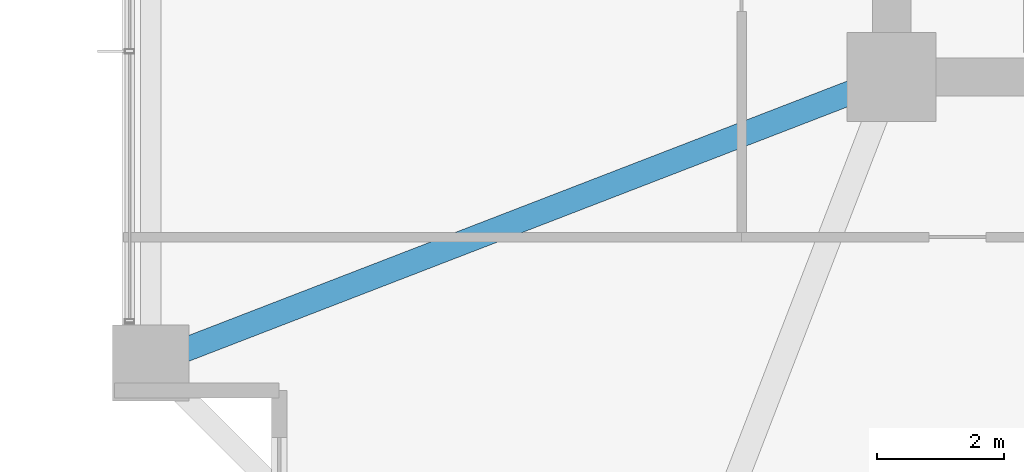
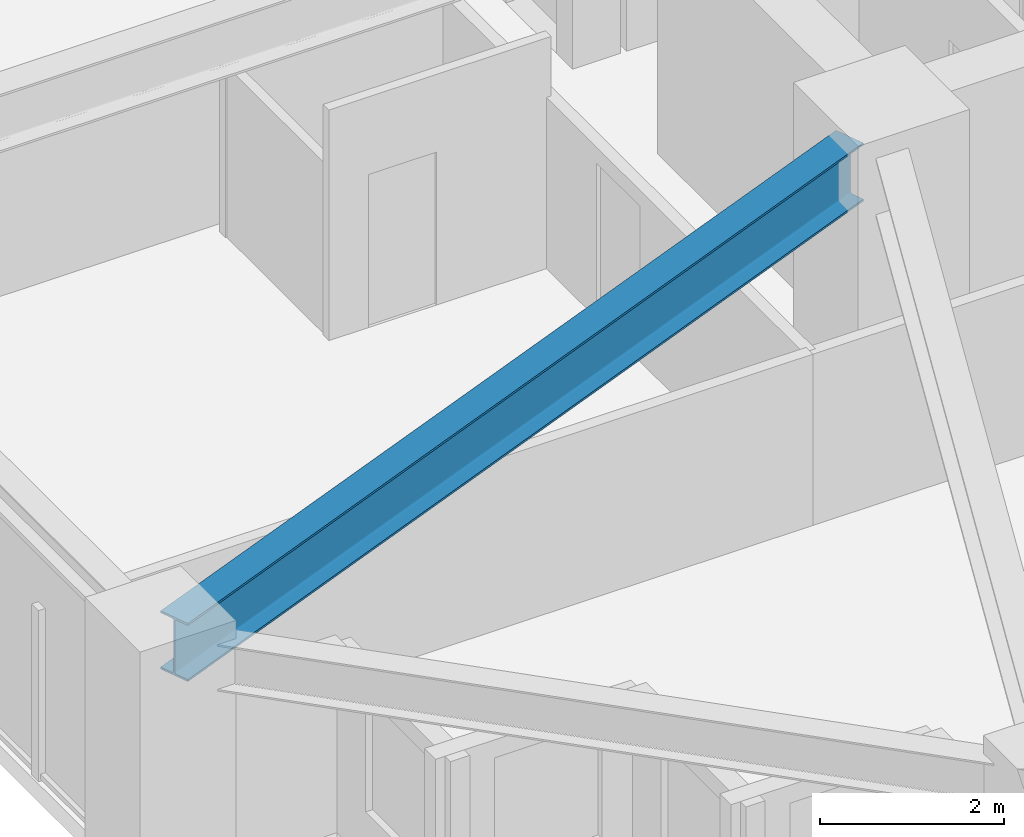
# One storey, part 4 of 38: 1 beam.
"""IFC4 building model written with IfcOpenShell, lengths in metres."""

import ifcopenshell
import ifcopenshell.guid

model = None  # the IFC model being written
_history = None  # IfcOwnerHistory: only IFC2X3 demands one
_inside = {}  # id of a spatial element -> (the spatial element, [elements in it])
_under = {}  # id of a project, library or spatial element -> (it, [spatial elements below it])
_declared = {}  # id of a project -> (the project, [libraries it declares])
_typed = {}  # id of a type object -> (the type object, [elements of that type])
_made_of = {}  # id of a material, layer set ... -> (it, [elements and type objects made of it])


def new_model(schema):
    """Start an empty IFC model of exactly this schema.

    Asked for "IFC4X3", IfcOpenShell would pick the latest addendum, in which some entities
    have other attributes; the version numbers below select the first issue.
    IFC2X3 requires an IfcOwnerHistory on every rooted entity: one is made here for all.
    """
    global model, _history
    if schema == "IFC4X3":
        model = ifcopenshell.file(schema_version=(4, 3, 0, 0))
    else:
        model = ifcopenshell.file(schema=schema)
    _inside.clear()
    _under.clear()
    _declared.clear()
    _typed.clear()
    _made_of.clear()
    _history = None
    if model.schema == "IFC2X3":
        org = make("IfcOrganization", Name="unknown")
        user = make(
            "IfcPersonAndOrganization",
            ThePerson=make("IfcPerson", FamilyName="unknown"),
            TheOrganization=org,
        )
        app = make(
            "IfcApplication",
            ApplicationDeveloper=org,
            Version="unknown",
            ApplicationFullName="unknown",
            ApplicationIdentifier="unknown",
        )
        _history = make(
            "IfcOwnerHistory",
            OwningUser=user,
            OwningApplication=app,
            ChangeAction="ADDED",
            CreationDate=0,
        )
    return model


def make(cls, **values):
    """One entity of the class cls with the attributes given. An attribute that is None is left unset."""
    return model.create_entity(
        cls, **{name: value for name, value in values.items() if value is not None}
    )


def rooted(cls, **values):
    """An entity with a GlobalId (a new one), such as an element, a storey or a relation."""
    return make(cls, GlobalId=ifcopenshell.guid.new(), OwnerHistory=_history, **values)


def si_unit(unit_type, name, prefix=None):
    """IfcSIUnit, for example si_unit("LENGTHUNIT", "METRE", prefix="MILLI")."""
    return make("IfcSIUnit", UnitType=unit_type, Prefix=prefix, Name=name)


def assignment(units):
    """IfcUnitAssignment: the units of a project."""
    return None if units is None else make("IfcUnitAssignment", Units=units)


def point(xyz):
    """IfcCartesianPoint."""
    return None if xyz is None else make("IfcCartesianPoint", Coordinates=xyz)


def direction(xyz):
    """IfcDirection."""
    return None if xyz is None else make("IfcDirection", DirectionRatios=xyz)


def frame(location, z_axis=None, x_axis=None):
    """IfcAxis2Placement3D, a coordinate frame: its origin and axes. An axis left out is left unset."""
    return make(
        "IfcAxis2Placement3D",
        Location=point(location),
        Axis=direction(z_axis),
        RefDirection=direction(x_axis),
    )


def frame_2d(location, x_axis=None):
    """IfcAxis2Placement2D, a coordinate frame in the plane: its origin and x axis."""
    return make(
        "IfcAxis2Placement2D", Location=point(location), RefDirection=direction(x_axis)
    )


def origin():
    """The frame at (0, 0, 0) with its axes left unset."""
    return frame((0.0, 0.0, 0.0))


def origin_2d():
    """The frame at (0, 0) in the plane with its x axis left unset."""
    return frame_2d((0.0, 0.0))


def place(relative_to, where):
    """IfcLocalPlacement: puts the frame where relative to a parent placement (None: the world)."""
    return make(
        "IfcLocalPlacement", PlacementRelTo=relative_to, RelativePlacement=where
    )


def context(
    kind, dimensions, precision=None, world=None, true_north=None, identifier=None
):
    """IfcGeometricRepresentationContext, for example the 3D "Model" context."""
    return make(
        "IfcGeometricRepresentationContext",
        ContextIdentifier=identifier,
        ContextType=kind,
        CoordinateSpaceDimension=dimensions,
        Precision=precision,
        WorldCoordinateSystem=world,
        TrueNorth=true_north,
    )


def subcontext(parent, identifier, kind, view, scale=None):
    """IfcGeometricRepresentationSubContext, for example "Body" below "Model"."""
    return make(
        "IfcGeometricRepresentationSubContext",
        ContextIdentifier=identifier,
        ContextType=kind,
        ParentContext=parent,
        TargetScale=scale,
        TargetView=view,
    )


def project(units=None, contexts=None):
    """IfcProject with its units and contexts."""
    return rooted(
        "IfcProject",
        Name="project",
        RepresentationContexts=contexts,
        UnitsInContext=assignment(units),
    )


def spatial(cls, under=None, at=None, **own):
    """A site, building, storey or space (cls), placed at a placement, below another one or the project."""
    s = rooted(cls, ObjectPlacement=at, **own)
    if under is not None:
        _under.setdefault(under.id(), (under, []))[1].append(s)
    return s


def profile(cls, at=None, kind="AREA", **sizes):
    """A parametric profile (cls). Its sizes go by their IFC names, for example OverallWidth=200.0."""
    return make(cls, ProfileType=kind, Position=at, **sizes)


def i_section(**sizes):
    """IfcIShapeProfileDef."""
    return profile("IfcIShapeProfileDef", **sizes)


def extrude(swept, where, along, depth):
    """IfcExtrudedAreaSolid: the profile swept, set in the frame where, extruded along a direction by depth."""
    return make(
        "IfcExtrudedAreaSolid",
        SweptArea=swept,
        Position=where,
        ExtrudedDirection=direction(along),
        Depth=depth,
    )


def shape(context_of_items, identifier, shape_type, items):
    """IfcShapeRepresentation: the items that make up one representation, for example the "Body"."""
    return make(
        "IfcShapeRepresentation",
        ContextOfItems=context_of_items,
        RepresentationIdentifier=identifier,
        RepresentationType=shape_type,
        Items=items,
    )


def material(Name=None, Category=None):
    """IfcMaterial."""
    return make("IfcMaterial", Name=Name, Category=Category)


def material_profile(
    of_material, cross_section, Name=None, Category=None, Priority=None
):
    """IfcMaterialProfile: a cross section and its material."""
    return make(
        "IfcMaterialProfile",
        Name=Name,
        Material=of_material,
        Profile=cross_section,
        Priority=Priority,
        Category=Category,
    )


def profile_set(profiles, Name=None, composite=None):
    """IfcMaterialProfileSet."""
    return make(
        "IfcMaterialProfileSet",
        Name=Name,
        MaterialProfiles=profiles,
        CompositeProfile=composite,
    )


def made_of(thing, what):
    """Note that an element or type object is made of a material, layer set ...; save() writes the relation."""
    if what is not None:
        _made_of.setdefault(what.id(), (what, []))[1].append(thing)
    return thing


def type_object(cls, material=None, **own):
    """A type object (cls), such as IfcWallType, which elements share."""
    return made_of(rooted(cls, **own), material)


def element(
    cls,
    number,
    at=None,
    inside=None,
    cuts=None,
    type_object=None,
    material=None,
    context=None,
    identifier="Body",
    shape_type=None,
    held_by="IfcProductDefinitionShape",
    body=None,
    shapes=None,
    **own,
):
    """One element of the class cls, such as IfcWall. Its Tag is "e" and its number.

    at: its placement. inside: the storey or other place that contains it. cuts: it is an
    opening in that element (IfcRelVoidsElement). A single representation is given by context,
    identifier, shape_type and body (its items); several are given by shapes. held_by: the class
    of the entity that holds the representations. save() writes the other relations.
    """
    e = rooted(cls, Tag="e%d" % number, ObjectPlacement=at, **own)
    if body is not None:
        shapes = [shape(context, identifier, shape_type, body)]
    if shapes is not None:
        e.Representation = make(held_by, Representations=shapes)
    if inside is not None:
        _inside.setdefault(inside.id(), (inside, []))[1].append(e)
    if cuts is not None:
        rooted(
            "IfcRelVoidsElement", RelatingBuildingElement=cuts, RelatedOpeningElement=e
        )
    if type_object is not None:
        _typed.setdefault(type_object.id(), (type_object, []))[1].append(e)
    return made_of(e, material)


def aggregate(whole, parts):
    """IfcRelAggregates: a whole, such as a stair, and the parts it consists of."""
    return rooted("IfcRelAggregates", RelatingObject=whole, RelatedObjects=parts)


def save(model, path):
    """Write the relations noted so far, then the file.

    IfcRelAggregates (storeys below a building ...), IfcRelContainedInSpatialStructure (elements
    in a storey), IfcRelDefinesByType, IfcRelAssociatesMaterial and IfcRelDeclares: one each for
    every whole, place, type object, material and project.
    """
    for whole, parts in _under.values():
        aggregate(whole, parts)
    for where, things in _inside.values():
        rooted(
            "IfcRelContainedInSpatialStructure",
            RelatedElements=things,
            RelatingStructure=where,
        )
    for kind, things in _typed.values():
        rooted("IfcRelDefinesByType", RelatedObjects=things, RelatingType=kind)
    for what, things in _made_of.values():
        rooted("IfcRelAssociatesMaterial", RelatedObjects=things, RelatingMaterial=what)
    for by, libraries in _declared.values():
        rooted("IfcRelDeclares", RelatingContext=by, RelatedDefinitions=libraries)
    model.write(path)


model = new_model("IFC4")

# Units and contexts
model_context = context("Model", 3, precision=1e-05, world=origin(), true_north=direction((0.0, 1.0)))
body_context = subcontext(model_context, "Body", "Model", "MODEL_VIEW")
ifc_project = project(units=[si_unit("LENGTHUNIT", "METRE"), si_unit("AREAUNIT", "SQUARE_METRE"), si_unit("VOLUMEUNIT", "CUBIC_METRE"), si_unit("PLANEANGLEUNIT", "RADIAN"), si_unit("MASSUNIT", "GRAM", prefix="KILO")], contexts=[model_context])

# Site, building, storey
site_placement = place(None, origin())
site = spatial("IfcSite", under=ifc_project, at=site_placement, CompositionType="ELEMENT")
building_placement = place(site_placement, origin())
building = spatial("IfcBuilding", under=site, at=building_placement, Name="Kolvaren Belvedere", CompositionType="ELEMENT")
storey_placement = place(building_placement, frame((0.0, 0.0, 53.5)))
storey = spatial("IfcBuildingStorey", under=building, at=storey_placement, Name="L15", CompositionType="ELEMENT", Elevation=53.5)

# Beam
ifc_material = material(Name="Structural steel ASTM A992 Grade 50", Category="steel")
ifc_material_profile = material_profile(ifc_material, i_section(OverallWidth=0.381103515625, OverallDepth=0.77294921875, WebThickness=0.0166015625, FlangeThickness=0.027099609375, FilletRadius=0.02392578125, at=origin_2d()), Name="W30X173")
ifc_profile_set = profile_set([ifc_material_profile], Name="Structural steel ASTM A992 Grade 50")
beam_type = type_object("IfcBeamType", Name="BM-GIRD-W30X173", PredefinedType="BEAM", material=ifc_profile_set)
beam_placement = place(storey_placement, frame((-10.4130859375, -10.09814453125, 2.673583984375), z_axis=(-0.932829382313, -0.360318391835, 0.0), x_axis=(0.360318391835, -0.932829382313, 0.0)))
element("IfcBeam", 1, at=beam_placement, inside=storey, type_object=beam_type, Name="L15 Corner Core-to-Perimeter Girder CC1-W1", PredefinedType="BEAM", context=body_context, shape_type="SweptSolid", body=[
    extrude(i_section(OverallWidth=0.381103515625, OverallDepth=0.77294921875, WebThickness=0.0166015625, FlangeThickness=0.027099609375, FilletRadius=0.02392578125, at=origin_2d()), origin(), (0.0, 0.0, 1.0), 11.698974609375),
])

save(model, "model.ifc")
